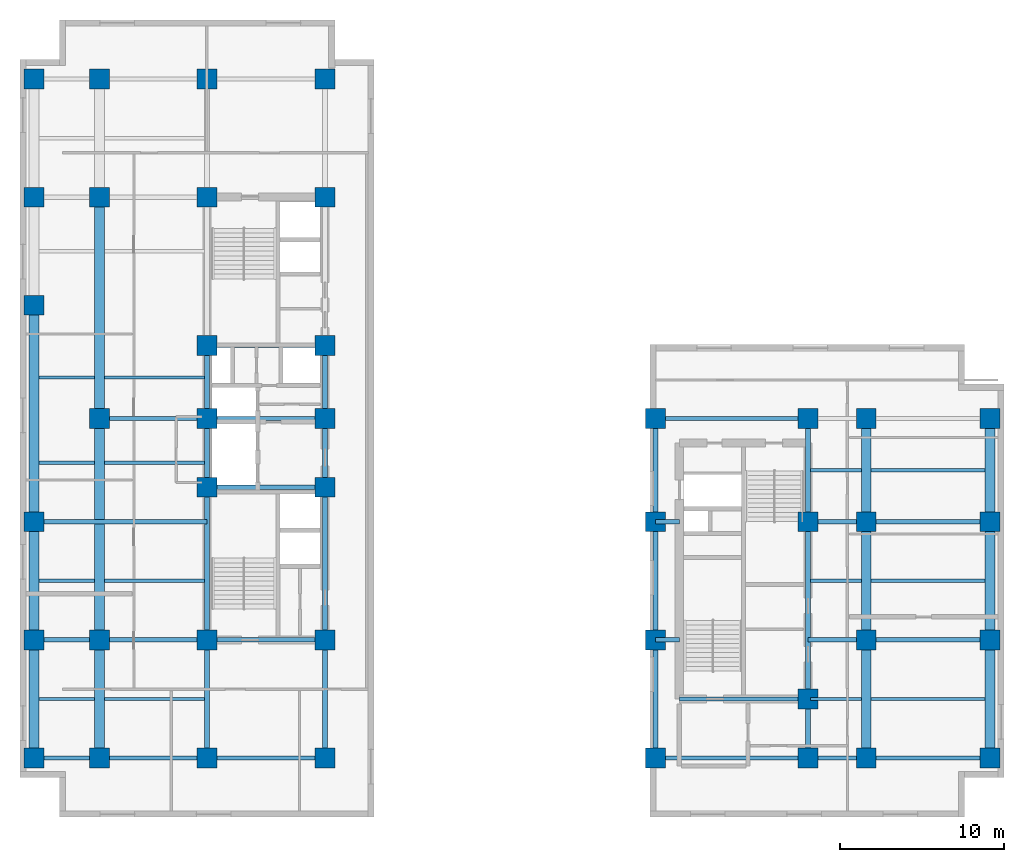
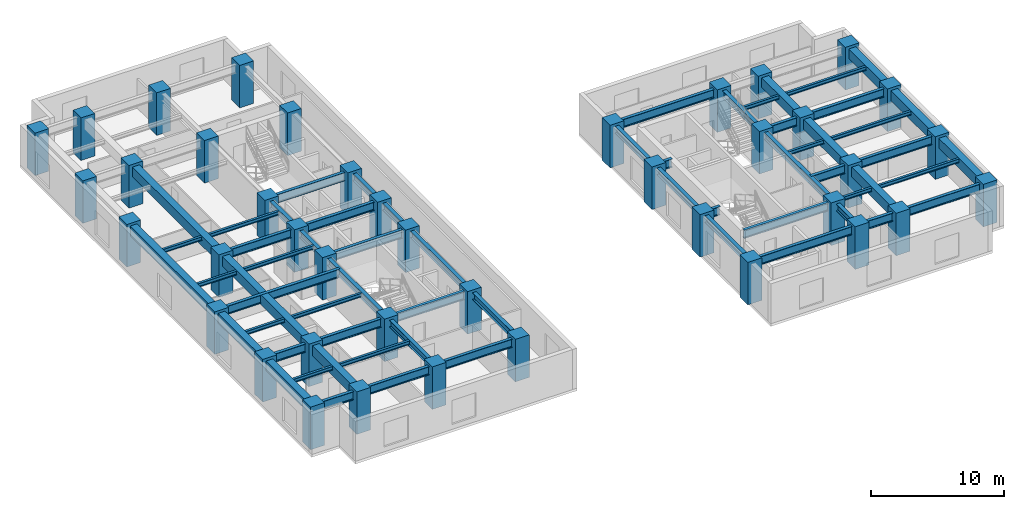
# One storey, part 1 of 9: 62 beams, 41 columns.
"""IFC4 building model written with IfcOpenShell, lengths in metres."""

from ifc_helpers import new_model, entity, si_unit, converted_unit, direction, frame, origin_with_axes, origin_2d_with_axis, place, context, subcontext, project, spatial, rectangle, i_section, extrude, material, material_profile, profile_set, type_object, element, save


model = new_model("IFC4")

# Units and contexts
model_context = context("Model", 3, precision=1e-05, world=origin_with_axes(), true_north=direction((0.0, 1.0)))
body_context = subcontext(model_context, "Body", "Model", "MODEL_VIEW")
ifc_project = project(units=[si_unit("LENGTHUNIT", "METRE"), si_unit("AREAUNIT", "SQUARE_METRE"), si_unit("VOLUMEUNIT", "CUBIC_METRE"), converted_unit("PLANEANGLEUNIT", "DEGREE", entity("IfcPlaneAngleMeasure", 0.017453292519943295), si_unit("PLANEANGLEUNIT", "RADIAN"), dimensions=[0, 0, 0, 0, 0, 0, 0]), si_unit("MASSUNIT", "GRAM", prefix="KILO"), si_unit("THERMODYNAMICTEMPERATUREUNIT", "KELVIN")], contexts=[model_context])

# Site, building, storey
site_placement = place(None, origin_with_axes())
site = spatial("IfcSite", under=ifc_project, at=site_placement, CompositionType="ELEMENT")
building_placement = place(site_placement, origin_with_axes())
building = spatial("IfcBuilding", under=site, at=building_placement, Name="Varnlund Millrace Tower", CompositionType="ELEMENT")
storey_placement = place(building_placement, frame((0.0, 0.0, 93.0), z_axis=(0.0, 0.0, 1.0), x_axis=(1.0, 0.0, 0.0)))
storey = spatial("IfcBuildingStorey", under=building, at=storey_placement, Name="L22", CompositionType="ELEMENT", Elevation=93.0)

# Columns
ifc_material_1 = material(Name="Concrete C80/95", Category="concrete")
ifc_material_profile_1 = material_profile(ifc_material_1, rectangle(XDim=1.2, YDim=1.2, at=origin_2d_with_axis()), Name="Concrete C80/95")
ifc_profile_set_1 = profile_set([ifc_material_profile_1], Name="Concrete C80/95")
column_type = type_object("IfcColumnType", Name="Type-Col-RC1200-C80", PredefinedType="COLUMN", material=ifc_profile_set_1)
for number, where, z_axis, x_axis, name in (
    (1, (11.4, 3.6, 0.0), (0.0, 0.0, 1.0), (1.0, 0.0, 0.0), "Type-Col-RC1200-C80"),
    (2, (11.4, 10.8, 0.0), (0.0, 0.0, 1.0), (1.0, 0.0, 0.0), "Type-Col-RC1200-C80"),
    (3, (11.4, 20.1, 0.0), (0.0, 0.0, 1.0), (1.0, 0.0, 0.0), "Type-Col-RC1200-C80"),
    (4, (11.4, 24.3, 0.0), (0.0, 0.0, 1.0), (1.0, 0.0, 0.0), "Type-Col-RC1200-C80"),
    (5, (11.4, 28.75, 0.0), (0.0, 0.0, 1.0), (1.0, 0.0, 0.0), "Type-Col-RC1200-C80"),
    (6, (11.4, 37.8, 0.0), (0.0, 0.0, 1.0), (1.0, 0.0, 0.0), "Type-Col-RC1200-C80"),
    (7, (11.4, 45.0, 0.0), (0.0, 0.0, 1.0), (1.0, 0.0, 0.0), "Type-Col-RC1200-C80"),
    (8, (18.6, 3.6, 0.0), (0.0, 0.0, 1.0), (1.0, 0.0, 0.0), "Type-Col-RC1200-C80"),
    (9, (18.6, 10.8, 0.0), (0.0, 0.0, 1.0), (1.0, 0.0, 0.0), "Type-Col-RC1200-C80"),
    (10, (18.6, 20.1, 0.0), (0.0, 0.0, 1.0), (1.0, 0.0, 0.0), "Type-Col-RC1200-C80"),
    (11, (18.6, 24.3, 0.0), (0.0, 0.0, 1.0), (1.0, 0.0, 0.0), "Type-Col-RC1200-C80"),
    (12, (18.6, 28.75, 0.0), (0.0, 0.0, 1.0), (1.0, 0.0, 0.0), "Type-Col-RC1200-C80"),
    (13, (18.6, 37.8, 0.0), (0.0, 0.0, 1.0), (1.0, 0.0, 0.0), "Type-Col-RC1200-C80"),
    (14, (18.6, 45.0, 0.0), (0.0, 0.0, 1.0), (1.0, 0.0, 0.0), "Type-Col-RC1200-C80"),
    (15, (4.85, 3.6, 0.0), (0.0, 0.0, 1.0), (1.0, 0.0, 0.0), "Type-Col-RC1200-C80"),
    (16, (4.85, 10.8, 0.0), (0.0, 0.0, 1.0), (1.0, 0.0, 0.0), "Type-Col-RC1200-C80"),
    (17, (4.85, 24.3, 0.0), (0.0, 0.0, 1.0), (1.0, 0.0, 0.0), "Type-Col-RC1200-C80"),
    (18, (4.85, 37.8, 0.0), (0.0, 0.0, 1.0), (1.0, 0.0, 0.0), "Type-Col-RC1200-C80"),
    (19, (4.85, 45.0, 0.0), (0.0, 0.0, 1.0), (1.0, 0.0, 0.0), "Type-Col-RC1200-C80"),
    (20, (0.85, 3.6, 0.0), (0.0, 0.0, 1.0), (1.0, 0.0, 0.0), "Type-Col-RC1200-C80"),
    (21, (0.85, 10.8, 0.0), (0.0, 0.0, 1.0), (1.0, 0.0, 0.0), "Type-Col-RC1200-C80"),
    (22, (0.85, 18.0, 0.0), (0.0, 0.0, 1.0), (1.0, 0.0, 0.0), "Type-Col-RC1200-C80"),
    (23, (0.85, 31.2, 0.0), (0.0, 0.0, 1.0), (1.0, 0.0, 0.0), "Type-Col-RC1200-C80"),
    (24, (0.85, 37.8, 0.0), (0.0, 0.0, 1.0), (1.0, 0.0, 0.0), "Type-Col-RC1200-C80"),
    (25, (0.85, 45.0, 0.0), (0.0, 0.0, 1.0), (1.0, 0.0, 0.0), "Type-Col-RC1200-C80"),
    (26, (38.75, 3.6, 0.0), (0.0, 0.0, 1.0), (1.0, 0.0, 0.0), "Type-Col-RC1200-C80"),
    (27, (38.75, 10.8, 0.0), (0.0, 0.0, 1.0), (1.0, 0.0, 0.0), "Type-Col-RC1200-C80"),
    (28, (38.75, 18.0, 0.0), (0.0, 0.0, 1.0), (1.0, 0.0, 0.0), "Type-Col-RC1200-C80"),
    (29, (38.75, 24.3, 0.0), (0.0, 0.0, 1.0), (1.0, 0.0, 0.0), "Type-Col-RC1200-C80"),
    (30, (48.05, 3.6, 0.0), (0.0, 0.0, 1.0), (1.0, 0.0, 0.0), "Type-Col-RC1200-C80"),
    (31, (48.05, 7.2, 0.0), (0.0, 0.0, 1.0), (1.0, 0.0, 0.0), "Type-Col-RC1200-C80"),
    (32, (48.05, 18.0, 0.0), (0.0, 0.0, 1.0), (1.0, 0.0, 0.0), "Type-Col-RC1200-C80"),
    (33, (48.05, 24.3, 0.0), (0.0, 0.0, 1.0), (1.0, 0.0, 0.0), "Type-Col-RC1200-C80"),
    (34, (51.6, 3.6, 0.0), (0.0, 0.0, 1.0), (1.0, 0.0, 0.0), "Type-Col-RC1200-C80"),
    (35, (51.6, 10.8, 0.0), (0.0, 0.0, 1.0), (1.0, 0.0, 0.0), "Type-Col-RC1200-C80"),
    (36, (51.6, 18.0, 0.0), (0.0, 0.0, 1.0), (1.0, 0.0, 0.0), "Type-Col-RC1200-C80"),
    (37, (51.6, 24.3, 0.0), (0.0, 0.0, 1.0), (1.0, 0.0, 0.0), "Type-Col-RC1200-C80"),
    (38, (59.15, 3.6, 0.0), (0.0, 0.0, 1.0), (1.0, 0.0, 0.0), "Type-Col-RC1200-C80"),
    (39, (59.15, 10.8, 0.0), (0.0, 0.0, 1.0), (1.0, 0.0, 0.0), "Type-Col-RC1200-C80"),
    (40, (59.15, 18.0, 0.0), (0.0, 0.0, 1.0), (1.0, 0.0, 0.0), "Type-Col-RC1200-C80"),
    (41, (59.15, 24.3, 0.0), (0.0, 0.0, 1.0), (1.0, 0.0, 0.0), "Type-Col-RC1200-C80"),
):
    element("IfcColumn", number, at=place(storey_placement, frame(where, z_axis=z_axis, x_axis=x_axis)), inside=storey, type_object=column_type, Name=name, PredefinedType="COLUMN", context=body_context, shape_type="SweptSolid", body=[
        extrude(rectangle(XDim=1.2, YDim=1.2, at=origin_2d_with_axis()), origin_with_axes(), (0.0, 0.0, 1.0), 3.9),
    ])

# Beams
ifc_material_2 = material(Name="Steel ASTM A992 Grade 50", Category="steel")
ifc_material_profile_2 = material_profile(ifc_material_2, i_section(OverallWidth=0.328, OverallDepth=0.628, WebThickness=0.0165, FlangeThickness=0.0277, FilletRadius=0.018, at=origin_2d_with_axis()), Name="Steel ASTM A992 Grade 50")
ifc_profile_set_2 = profile_set([ifc_material_profile_2], Name="Steel ASTM A992 Grade 50")
beam_type_1 = type_object("IfcBeamType", Name="Type-Girder-W24X146", PredefinedType="USERDEFINED", material=ifc_profile_set_2)
beam_1_placement = place(storey_placement, frame((11.4, 3.6, 3.346), z_axis=(0.0, 1.0, 0.0), x_axis=(-1.0, 0.0, 0.0)))
element("IfcBeam", 42, at=beam_1_placement, inside=storey, type_object=beam_type_1, Name="Type-Girder-W24X146", ObjectType="GIRDER", PredefinedType="USERDEFINED", context=body_context, shape_type="SweptSolid", body=[
    extrude(i_section(OverallWidth=0.328, OverallDepth=0.628, WebThickness=0.0165, FlangeThickness=0.0277, FilletRadius=0.018, at=origin_2d_with_axis()), origin_with_axes(), (0.0, 0.0, 1.0), 7.2),
])
beam_2_placement = place(storey_placement, frame((11.4, 10.8, 3.346), z_axis=(0.0, 1.0, 0.0), x_axis=(-1.0, 0.0, 0.0)))
element("IfcBeam", 43, at=beam_2_placement, inside=storey, type_object=beam_type_1, Name="Type-Girder-W24X146", ObjectType="GIRDER", PredefinedType="USERDEFINED", context=body_context, shape_type="SweptSolid", body=[
    extrude(i_section(OverallWidth=0.328, OverallDepth=0.628, WebThickness=0.0165, FlangeThickness=0.0277, FilletRadius=0.018, at=origin_2d_with_axis()), origin_with_axes(), (0.0, 0.0, 1.0), 9.3),
])
beam_3_placement = place(storey_placement, frame((11.4, 20.1, 3.346), z_axis=(0.0, 1.0, 0.0), x_axis=(-1.0, 0.0, 0.0)))
element("IfcBeam", 44, at=beam_3_placement, inside=storey, type_object=beam_type_1, Name="Type-Girder-W24X146", ObjectType="GIRDER", PredefinedType="USERDEFINED", context=body_context, shape_type="SweptSolid", body=[
    extrude(i_section(OverallWidth=0.328, OverallDepth=0.628, WebThickness=0.0165, FlangeThickness=0.0277, FilletRadius=0.018, at=origin_2d_with_axis()), origin_with_axes(), (0.0, 0.0, 1.0), 4.2),
])
beam_4_placement = place(storey_placement, frame((11.4, 24.3, 3.346), z_axis=(0.0, 1.0, 0.0), x_axis=(-1.0, 0.0, 0.0)))
element("IfcBeam", 45, at=beam_4_placement, inside=storey, type_object=beam_type_1, Name="Type-Girder-W24X146", ObjectType="GIRDER", PredefinedType="USERDEFINED", context=body_context, shape_type="SweptSolid", body=[
    extrude(i_section(OverallWidth=0.328, OverallDepth=0.628, WebThickness=0.0165, FlangeThickness=0.0277, FilletRadius=0.018, at=origin_2d_with_axis()), origin_with_axes(), (0.0, 0.0, 1.0), 4.45),
])
beam_5_placement = place(storey_placement, frame((18.6, 3.6, 3.346), z_axis=(0.0, 1.0, 0.0), x_axis=(-1.0, 0.0, 0.0)))
element("IfcBeam", 46, at=beam_5_placement, inside=storey, type_object=beam_type_1, Name="Type-Girder-W24X146", ObjectType="GIRDER", PredefinedType="USERDEFINED", context=body_context, shape_type="SweptSolid", body=[
    extrude(i_section(OverallWidth=0.328, OverallDepth=0.628, WebThickness=0.0165, FlangeThickness=0.0277, FilletRadius=0.018, at=origin_2d_with_axis()), origin_with_axes(), (0.0, 0.0, 1.0), 7.2),
])
beam_6_placement = place(storey_placement, frame((18.6, 10.8, 3.346), z_axis=(0.0, 1.0, 0.0), x_axis=(-1.0, 0.0, 0.0)))
element("IfcBeam", 47, at=beam_6_placement, inside=storey, type_object=beam_type_1, Name="Type-Girder-W24X146", ObjectType="GIRDER", PredefinedType="USERDEFINED", context=body_context, shape_type="SweptSolid", body=[
    extrude(i_section(OverallWidth=0.328, OverallDepth=0.628, WebThickness=0.0165, FlangeThickness=0.0277, FilletRadius=0.018, at=origin_2d_with_axis()), origin_with_axes(), (0.0, 0.0, 1.0), 9.3),
])
beam_7_placement = place(storey_placement, frame((18.6, 20.1, 3.346), z_axis=(0.0, 1.0, 0.0), x_axis=(-1.0, 0.0, 0.0)))
element("IfcBeam", 48, at=beam_7_placement, inside=storey, type_object=beam_type_1, Name="Type-Girder-W24X146", ObjectType="GIRDER", PredefinedType="USERDEFINED", context=body_context, shape_type="SweptSolid", body=[
    extrude(i_section(OverallWidth=0.328, OverallDepth=0.628, WebThickness=0.0165, FlangeThickness=0.0277, FilletRadius=0.018, at=origin_2d_with_axis()), origin_with_axes(), (0.0, 0.0, 1.0), 4.2),
])
beam_8_placement = place(storey_placement, frame((18.6, 24.3, 3.346), z_axis=(0.0, 1.0, 0.0), x_axis=(-1.0, 0.0, 0.0)))
element("IfcBeam", 49, at=beam_8_placement, inside=storey, type_object=beam_type_1, Name="Type-Girder-W24X146", ObjectType="GIRDER", PredefinedType="USERDEFINED", context=body_context, shape_type="SweptSolid", body=[
    extrude(i_section(OverallWidth=0.328, OverallDepth=0.628, WebThickness=0.0165, FlangeThickness=0.0277, FilletRadius=0.018, at=origin_2d_with_axis()), origin_with_axes(), (0.0, 0.0, 1.0), 4.45),
])
for number, where, z_axis, x_axis, name in (
    (50, (38.75, 3.6, 3.346), (0.0, 1.0, 0.0), (-1.0, 0.0, 0.0), "Type-Girder-W24X146"),
    (51, (38.75, 10.8, 3.346), (0.0, 1.0, 0.0), (-1.0, 0.0, 0.0), "Type-Girder-W24X146"),
):
    element("IfcBeam", number, at=place(storey_placement, frame(where, z_axis=z_axis, x_axis=x_axis)), inside=storey, type_object=beam_type_1, Name=name, ObjectType="GIRDER", PredefinedType="USERDEFINED", context=body_context, shape_type="SweptSolid", body=[
        extrude(i_section(OverallWidth=0.328, OverallDepth=0.628, WebThickness=0.0165, FlangeThickness=0.0277, FilletRadius=0.018, at=origin_2d_with_axis()), origin_with_axes(), (0.0, 0.0, 1.0), 7.2),
    ])
beam_9_placement = place(storey_placement, frame((38.75, 18.0, 3.346), z_axis=(0.0, 1.0, 0.0), x_axis=(-1.0, 0.0, 0.0)))
element("IfcBeam", 52, at=beam_9_placement, inside=storey, type_object=beam_type_1, Name="Type-Girder-W24X146", ObjectType="GIRDER", PredefinedType="USERDEFINED", context=body_context, shape_type="SweptSolid", body=[
    extrude(i_section(OverallWidth=0.328, OverallDepth=0.628, WebThickness=0.0165, FlangeThickness=0.0277, FilletRadius=0.018, at=origin_2d_with_axis()), origin_with_axes(), (0.0, 0.0, 1.0), 6.3),
])
beam_10_placement = place(storey_placement, frame((48.05, 3.6, 3.346), z_axis=(0.0, 1.0, 0.0), x_axis=(-1.0, 0.0, 0.0)))
element("IfcBeam", 53, at=beam_10_placement, inside=storey, type_object=beam_type_1, Name="Type-Girder-W24X146", ObjectType="GIRDER", PredefinedType="USERDEFINED", context=body_context, shape_type="SweptSolid", body=[
    extrude(i_section(OverallWidth=0.328, OverallDepth=0.628, WebThickness=0.0165, FlangeThickness=0.0277, FilletRadius=0.018, at=origin_2d_with_axis()), origin_with_axes(), (0.0, 0.0, 1.0), 3.6),
])
beam_11_placement = place(storey_placement, frame((48.05, 7.2, 3.346), z_axis=(0.0, 1.0, 0.0), x_axis=(-1.0, 0.0, 0.0)))
element("IfcBeam", 54, at=beam_11_placement, inside=storey, type_object=beam_type_1, Name="Type-Girder-W24X146", ObjectType="GIRDER", PredefinedType="USERDEFINED", context=body_context, shape_type="SweptSolid", body=[
    extrude(i_section(OverallWidth=0.328, OverallDepth=0.628, WebThickness=0.0165, FlangeThickness=0.0277, FilletRadius=0.018, at=origin_2d_with_axis()), origin_with_axes(), (0.0, 0.0, 1.0), 10.8),
])
beam_12_placement = place(storey_placement, frame((48.05, 18.0, 3.346), z_axis=(0.0, 1.0, 0.0), x_axis=(-1.0, 0.0, 0.0)))
element("IfcBeam", 55, at=beam_12_placement, inside=storey, type_object=beam_type_1, Name="Type-Girder-W24X146", ObjectType="GIRDER", PredefinedType="USERDEFINED", context=body_context, shape_type="SweptSolid", body=[
    extrude(i_section(OverallWidth=0.328, OverallDepth=0.628, WebThickness=0.0165, FlangeThickness=0.0277, FilletRadius=0.018, at=origin_2d_with_axis()), origin_with_axes(), (0.0, 0.0, 1.0), 6.3),
])
ifc_material_profile_3 = material_profile(ifc_material_2, i_section(OverallWidth=0.266, OverallDepth=0.779, WebThickness=0.0165, FlangeThickness=0.03, FilletRadius=0.02, at=origin_2d_with_axis()), Name="Steel ASTM A992 Grade 50")
ifc_profile_set_3 = profile_set([ifc_material_profile_3], Name="Steel ASTM A992 Grade 50")
beam_type_2 = type_object("IfcBeamType", Name="Type-Girder-W30X148", PredefinedType="USERDEFINED", material=ifc_profile_set_3)
beam_13_placement = place(storey_placement, frame((0.85, 3.6, 3.2705), z_axis=(1.0, 0.0, 0.0), x_axis=(0.0, 1.0, 0.0)))
element("IfcBeam", 56, at=beam_13_placement, inside=storey, type_object=beam_type_2, Name="Type-Girder-W30X148", ObjectType="GIRDER", PredefinedType="USERDEFINED", context=body_context, shape_type="SweptSolid", body=[
    extrude(i_section(OverallWidth=0.266, OverallDepth=0.779, WebThickness=0.0165, FlangeThickness=0.03, FilletRadius=0.02, at=origin_2d_with_axis()), origin_with_axes(), (0.0, 0.0, 1.0), 4.0),
])
beam_14_placement = place(storey_placement, frame((4.85, 3.6, 3.2705), z_axis=(1.0, 0.0, 0.0), x_axis=(0.0, 1.0, 0.0)))
element("IfcBeam", 57, at=beam_14_placement, inside=storey, type_object=beam_type_2, Name="Type-Girder-W30X148", ObjectType="GIRDER", PredefinedType="USERDEFINED", context=body_context, shape_type="SweptSolid", body=[
    extrude(i_section(OverallWidth=0.266, OverallDepth=0.779, WebThickness=0.0165, FlangeThickness=0.03, FilletRadius=0.02, at=origin_2d_with_axis()), origin_with_axes(), (0.0, 0.0, 1.0), 6.55),
])
beam_15_placement = place(storey_placement, frame((11.4, 3.6, 3.2705), z_axis=(1.0, 0.0, 0.0), x_axis=(0.0, 1.0, 0.0)))
element("IfcBeam", 58, at=beam_15_placement, inside=storey, type_object=beam_type_2, Name="Type-Girder-W30X148", ObjectType="GIRDER", PredefinedType="USERDEFINED", context=body_context, shape_type="SweptSolid", body=[
    extrude(i_section(OverallWidth=0.266, OverallDepth=0.779, WebThickness=0.0165, FlangeThickness=0.03, FilletRadius=0.02, at=origin_2d_with_axis()), origin_with_axes(), (0.0, 0.0, 1.0), 7.2),
])
beam_16_placement = place(storey_placement, frame((38.75, 3.6, 3.2705), z_axis=(1.0, 0.0, 0.0), x_axis=(0.0, 1.0, 0.0)))
element("IfcBeam", 59, at=beam_16_placement, inside=storey, type_object=beam_type_2, Name="Type-Girder-W30X148", ObjectType="GIRDER", PredefinedType="USERDEFINED", context=body_context, shape_type="SweptSolid", body=[
    extrude(i_section(OverallWidth=0.266, OverallDepth=0.779, WebThickness=0.0165, FlangeThickness=0.03, FilletRadius=0.02, at=origin_2d_with_axis()), origin_with_axes(), (0.0, 0.0, 1.0), 9.3),
])
beam_17_placement = place(storey_placement, frame((48.05, 3.6, 3.2705), z_axis=(1.0, 0.0, 0.0), x_axis=(0.0, 1.0, 0.0)))
element("IfcBeam", 60, at=beam_17_placement, inside=storey, type_object=beam_type_2, Name="Type-Girder-W30X148", ObjectType="GIRDER", PredefinedType="USERDEFINED", context=body_context, shape_type="SweptSolid", body=[
    extrude(i_section(OverallWidth=0.266, OverallDepth=0.779, WebThickness=0.0165, FlangeThickness=0.03, FilletRadius=0.02, at=origin_2d_with_axis()), origin_with_axes(), (0.0, 0.0, 1.0), 3.55),
])
beam_18_placement = place(storey_placement, frame((51.6, 3.6, 3.2705), z_axis=(1.0, 0.0, 0.0), x_axis=(0.0, 1.0, 0.0)))
element("IfcBeam", 61, at=beam_18_placement, inside=storey, type_object=beam_type_2, Name="Type-Girder-W30X148", ObjectType="GIRDER", PredefinedType="USERDEFINED", context=body_context, shape_type="SweptSolid", body=[
    extrude(i_section(OverallWidth=0.266, OverallDepth=0.779, WebThickness=0.0165, FlangeThickness=0.03, FilletRadius=0.02, at=origin_2d_with_axis()), origin_with_axes(), (0.0, 0.0, 1.0), 7.55),
])
beam_19_placement = place(storey_placement, frame((40.2, 7.2, 3.2705), z_axis=(1.0, 0.0, 0.0), x_axis=(0.0, 1.0, 0.0)))
element("IfcBeam", 62, at=beam_19_placement, inside=storey, type_object=beam_type_2, Name="Type-Girder-W30X148", ObjectType="GIRDER", PredefinedType="USERDEFINED", context=body_context, shape_type="SweptSolid", body=[
    extrude(i_section(OverallWidth=0.266, OverallDepth=0.779, WebThickness=0.0165, FlangeThickness=0.03, FilletRadius=0.02, at=origin_2d_with_axis()), origin_with_axes(), (0.0, 0.0, 1.0), 7.85),
])
beam_20_placement = place(storey_placement, frame((0.85, 10.8, 3.2705), z_axis=(1.0, 0.0, 0.0), x_axis=(0.0, 1.0, 0.0)))
element("IfcBeam", 63, at=beam_20_placement, inside=storey, type_object=beam_type_2, Name="Type-Girder-W30X148", ObjectType="GIRDER", PredefinedType="USERDEFINED", context=body_context, shape_type="SweptSolid", body=[
    extrude(i_section(OverallWidth=0.266, OverallDepth=0.779, WebThickness=0.0165, FlangeThickness=0.03, FilletRadius=0.02, at=origin_2d_with_axis()), origin_with_axes(), (0.0, 0.0, 1.0), 4.0),
])
beam_21_placement = place(storey_placement, frame((4.85, 10.8, 3.2705), z_axis=(1.0, 0.0, 0.0), x_axis=(0.0, 1.0, 0.0)))
element("IfcBeam", 64, at=beam_21_placement, inside=storey, type_object=beam_type_2, Name="Type-Girder-W30X148", ObjectType="GIRDER", PredefinedType="USERDEFINED", context=body_context, shape_type="SweptSolid", body=[
    extrude(i_section(OverallWidth=0.266, OverallDepth=0.779, WebThickness=0.0165, FlangeThickness=0.03, FilletRadius=0.02, at=origin_2d_with_axis()), origin_with_axes(), (0.0, 0.0, 1.0), 6.55),
])
beam_22_placement = place(storey_placement, frame((11.4, 10.8, 3.2705), z_axis=(1.0, 0.0, 0.0), x_axis=(0.0, 1.0, 0.0)))
element("IfcBeam", 65, at=beam_22_placement, inside=storey, type_object=beam_type_2, Name="Type-Girder-W30X148", ObjectType="GIRDER", PredefinedType="USERDEFINED", context=body_context, shape_type="SweptSolid", body=[
    extrude(i_section(OverallWidth=0.266, OverallDepth=0.779, WebThickness=0.0165, FlangeThickness=0.03, FilletRadius=0.02, at=origin_2d_with_axis()), origin_with_axes(), (0.0, 0.0, 1.0), 7.2),
])
beam_23_placement = place(storey_placement, frame((38.75, 10.8, 3.2705), z_axis=(1.0, 0.0, 0.0), x_axis=(0.0, 1.0, 0.0)))
element("IfcBeam", 66, at=beam_23_placement, inside=storey, type_object=beam_type_2, Name="Type-Girder-W30X148", ObjectType="GIRDER", PredefinedType="USERDEFINED", context=body_context, shape_type="SweptSolid", body=[
    extrude(i_section(OverallWidth=0.266, OverallDepth=0.779, WebThickness=0.0165, FlangeThickness=0.03, FilletRadius=0.02, at=origin_2d_with_axis()), origin_with_axes(), (0.0, 0.0, 1.0), 1.45),
])
beam_24_placement = place(storey_placement, frame((48.05, 10.8, 3.2705), z_axis=(1.0, 0.0, 0.0), x_axis=(0.0, 1.0, 0.0)))
element("IfcBeam", 67, at=beam_24_placement, inside=storey, type_object=beam_type_2, Name="Type-Girder-W30X148", ObjectType="GIRDER", PredefinedType="USERDEFINED", context=body_context, shape_type="SweptSolid", body=[
    extrude(i_section(OverallWidth=0.266, OverallDepth=0.779, WebThickness=0.0165, FlangeThickness=0.03, FilletRadius=0.02, at=origin_2d_with_axis()), origin_with_axes(), (0.0, 0.0, 1.0), 3.55),
])
beam_25_placement = place(storey_placement, frame((51.6, 10.8, 3.2705), z_axis=(1.0, 0.0, 0.0), x_axis=(0.0, 1.0, 0.0)))
element("IfcBeam", 68, at=beam_25_placement, inside=storey, type_object=beam_type_2, Name="Type-Girder-W30X148", ObjectType="GIRDER", PredefinedType="USERDEFINED", context=body_context, shape_type="SweptSolid", body=[
    extrude(i_section(OverallWidth=0.266, OverallDepth=0.779, WebThickness=0.0165, FlangeThickness=0.03, FilletRadius=0.02, at=origin_2d_with_axis()), origin_with_axes(), (0.0, 0.0, 1.0), 7.55),
])
beam_26_placement = place(storey_placement, frame((0.85, 18.0, 3.2705), z_axis=(1.0, 0.0, 0.0), x_axis=(0.0, 1.0, 0.0)))
element("IfcBeam", 69, at=beam_26_placement, inside=storey, type_object=beam_type_2, Name="Type-Girder-W30X148", ObjectType="GIRDER", PredefinedType="USERDEFINED", context=body_context, shape_type="SweptSolid", body=[
    extrude(i_section(OverallWidth=0.266, OverallDepth=0.779, WebThickness=0.0165, FlangeThickness=0.03, FilletRadius=0.02, at=origin_2d_with_axis()), origin_with_axes(), (0.0, 0.0, 1.0), 10.55),
])
beam_27_placement = place(storey_placement, frame((38.75, 18.0, 3.2705), z_axis=(1.0, 0.0, 0.0), x_axis=(0.0, 1.0, 0.0)))
element("IfcBeam", 70, at=beam_27_placement, inside=storey, type_object=beam_type_2, Name="Type-Girder-W30X148", ObjectType="GIRDER", PredefinedType="USERDEFINED", context=body_context, shape_type="SweptSolid", body=[
    extrude(i_section(OverallWidth=0.266, OverallDepth=0.779, WebThickness=0.0165, FlangeThickness=0.03, FilletRadius=0.02, at=origin_2d_with_axis()), origin_with_axes(), (0.0, 0.0, 1.0), 1.45),
])
beam_28_placement = place(storey_placement, frame((48.05, 18.0, 3.2705), z_axis=(1.0, 0.0, 0.0), x_axis=(0.0, 1.0, 0.0)))
element("IfcBeam", 71, at=beam_28_placement, inside=storey, type_object=beam_type_2, Name="Type-Girder-W30X148", ObjectType="GIRDER", PredefinedType="USERDEFINED", context=body_context, shape_type="SweptSolid", body=[
    extrude(i_section(OverallWidth=0.266, OverallDepth=0.779, WebThickness=0.0165, FlangeThickness=0.03, FilletRadius=0.02, at=origin_2d_with_axis()), origin_with_axes(), (0.0, 0.0, 1.0), 3.55),
])
beam_29_placement = place(storey_placement, frame((51.6, 18.0, 3.2705), z_axis=(1.0, 0.0, 0.0), x_axis=(0.0, 1.0, 0.0)))
element("IfcBeam", 72, at=beam_29_placement, inside=storey, type_object=beam_type_2, Name="Type-Girder-W30X148", ObjectType="GIRDER", PredefinedType="USERDEFINED", context=body_context, shape_type="SweptSolid", body=[
    extrude(i_section(OverallWidth=0.266, OverallDepth=0.779, WebThickness=0.0165, FlangeThickness=0.03, FilletRadius=0.02, at=origin_2d_with_axis()), origin_with_axes(), (0.0, 0.0, 1.0), 7.55),
])
beam_30_placement = place(storey_placement, frame((11.4, 20.1, 3.2705), z_axis=(1.0, 0.0, 0.0), x_axis=(0.0, 1.0, 0.0)))
element("IfcBeam", 73, at=beam_30_placement, inside=storey, type_object=beam_type_2, Name="Type-Girder-W30X148", ObjectType="GIRDER", PredefinedType="USERDEFINED", context=body_context, shape_type="SweptSolid", body=[
    extrude(i_section(OverallWidth=0.266, OverallDepth=0.779, WebThickness=0.0165, FlangeThickness=0.03, FilletRadius=0.02, at=origin_2d_with_axis()), origin_with_axes(), (0.0, 0.0, 1.0), 7.2),
])
beam_31_placement = place(storey_placement, frame((4.85, 24.3, 3.2705), z_axis=(1.0, 0.0, 0.0), x_axis=(0.0, 1.0, 0.0)))
element("IfcBeam", 74, at=beam_31_placement, inside=storey, type_object=beam_type_2, Name="Type-Girder-W30X148", ObjectType="GIRDER", PredefinedType="USERDEFINED", context=body_context, shape_type="SweptSolid", body=[
    extrude(i_section(OverallWidth=0.266, OverallDepth=0.779, WebThickness=0.0165, FlangeThickness=0.03, FilletRadius=0.02, at=origin_2d_with_axis()), origin_with_axes(), (0.0, 0.0, 1.0), 6.55),
])
beam_32_placement = place(storey_placement, frame((11.4, 24.3, 3.2705), z_axis=(1.0, 0.0, 0.0), x_axis=(0.0, 1.0, 0.0)))
element("IfcBeam", 75, at=beam_32_placement, inside=storey, type_object=beam_type_2, Name="Type-Girder-W30X148", ObjectType="GIRDER", PredefinedType="USERDEFINED", context=body_context, shape_type="SweptSolid", body=[
    extrude(i_section(OverallWidth=0.266, OverallDepth=0.779, WebThickness=0.0165, FlangeThickness=0.03, FilletRadius=0.02, at=origin_2d_with_axis()), origin_with_axes(), (0.0, 0.0, 1.0), 7.2),
])
beam_33_placement = place(storey_placement, frame((38.75, 24.3, 3.2705), z_axis=(1.0, 0.0, 0.0), x_axis=(0.0, 1.0, 0.0)))
element("IfcBeam", 76, at=beam_33_placement, inside=storey, type_object=beam_type_2, Name="Type-Girder-W30X148", ObjectType="GIRDER", PredefinedType="USERDEFINED", context=body_context, shape_type="SweptSolid", body=[
    extrude(i_section(OverallWidth=0.266, OverallDepth=0.779, WebThickness=0.0165, FlangeThickness=0.03, FilletRadius=0.02, at=origin_2d_with_axis()), origin_with_axes(), (0.0, 0.0, 1.0), 9.3),
])
beam_34_placement = place(storey_placement, frame((11.4, 28.75, 3.2705), z_axis=(1.0, 0.0, 0.0), x_axis=(0.0, 1.0, 0.0)))
element("IfcBeam", 77, at=beam_34_placement, inside=storey, type_object=beam_type_2, Name="Type-Girder-W30X148", ObjectType="GIRDER", PredefinedType="USERDEFINED", context=body_context, shape_type="SweptSolid", body=[
    extrude(i_section(OverallWidth=0.266, OverallDepth=0.779, WebThickness=0.0165, FlangeThickness=0.03, FilletRadius=0.02, at=origin_2d_with_axis()), origin_with_axes(), (0.0, 0.0, 1.0), 7.2),
])
ifc_material_profile_4 = material_profile(ifc_material_2, i_section(OverallWidth=0.204, OverallDepth=0.35, WebThickness=0.0086, FlangeThickness=0.0151, FilletRadius=0.013, at=origin_2d_with_axis()), Name="Steel ASTM A992 Grade 50")
ifc_profile_set_4 = profile_set([ifc_material_profile_4], Name="Steel ASTM A992 Grade 50")
beam_type_3 = type_object("IfcBeamType", Name="Type-Joist-W14X48", PredefinedType="JOIST", material=ifc_profile_set_4)
for number, where, z_axis, x_axis, name in (
    (78, (1.15, 7.2, 3.485), (1.0, 0.0, 0.0), (0.0, 1.0, 0.0), "Type-Joist-W14X48"),
    (79, (1.15, 14.4, 3.485), (1.0, 0.0, 0.0), (0.0, 1.0, 0.0), "Type-Joist-W14X48"),
    (80, (1.15, 21.6, 3.485), (1.0, 0.0, 0.0), (0.0, 1.0, 0.0), "Type-Joist-W14X48"),
    (81, (1.15, 26.8, 3.485), (1.0, 0.0, 0.0), (0.0, 1.0, 0.0), "Type-Joist-W14X48"),
):
    element("IfcBeam", number, at=place(storey_placement, frame(where, z_axis=z_axis, x_axis=x_axis)), inside=storey, type_object=beam_type_3, Name=name, PredefinedType="JOIST", context=body_context, shape_type="SweptSolid", body=[
        extrude(i_section(OverallWidth=0.204, OverallDepth=0.35, WebThickness=0.0086, FlangeThickness=0.0151, FilletRadius=0.013, at=origin_2d_with_axis()), origin_with_axes(), (0.0, 0.0, 1.0), 3.4),
    ])
for number, where, z_axis, x_axis, name in (
    (82, (5.15, 7.2, 3.485), (1.0, 0.0, 0.0), (0.0, 1.0, 0.0), "Type-Joist-W14X48"),
    (83, (5.15, 14.4, 3.485), (1.0, 0.0, 0.0), (0.0, 1.0, 0.0), "Type-Joist-W14X48"),
    (84, (5.15, 21.6, 3.485), (1.0, 0.0, 0.0), (0.0, 1.0, 0.0), "Type-Joist-W14X48"),
    (85, (5.15, 26.8, 3.485), (1.0, 0.0, 0.0), (0.0, 1.0, 0.0), "Type-Joist-W14X48"),
):
    element("IfcBeam", number, at=place(storey_placement, frame(where, z_axis=z_axis, x_axis=x_axis)), inside=storey, type_object=beam_type_3, Name=name, PredefinedType="JOIST", context=body_context, shape_type="SweptSolid", body=[
        extrude(i_section(OverallWidth=0.204, OverallDepth=0.35, WebThickness=0.0086, FlangeThickness=0.0151, FilletRadius=0.013, at=origin_2d_with_axis()), origin_with_axes(), (0.0, 0.0, 1.0), 6.086),
    ])
for number, where, z_axis, x_axis, name in (
    (86, (48.214, 7.2, 3.485), (1.0, 0.0, 0.0), (0.0, 1.0, 0.0), "Type-Joist-W14X48"),
    (87, (48.214, 14.4, 3.485), (1.0, 0.0, 0.0), (0.0, 1.0, 0.0), "Type-Joist-W14X48"),
    (88, (48.214, 21.15, 3.485), (1.0, 0.0, 0.0), (0.0, 1.0, 0.0), "Type-Joist-W14X48"),
):
    element("IfcBeam", number, at=place(storey_placement, frame(where, z_axis=z_axis, x_axis=x_axis)), inside=storey, type_object=beam_type_3, Name=name, PredefinedType="JOIST", context=body_context, shape_type="SweptSolid", body=[
        extrude(i_section(OverallWidth=0.204, OverallDepth=0.35, WebThickness=0.0086, FlangeThickness=0.0151, FilletRadius=0.013, at=origin_2d_with_axis()), origin_with_axes(), (0.0, 0.0, 1.0), 3.086),
    ])
for number, where, z_axis, x_axis, name in (
    (89, (51.9, 7.2, 3.485), (1.0, 0.0, 0.0), (0.0, 1.0, 0.0), "Type-Joist-W14X48"),
    (90, (51.9, 14.4, 3.485), (1.0, 0.0, 0.0), (0.0, 1.0, 0.0), "Type-Joist-W14X48"),
    (91, (51.9, 21.15, 3.485), (1.0, 0.0, 0.0), (0.0, 1.0, 0.0), "Type-Joist-W14X48"),
):
    element("IfcBeam", number, at=place(storey_placement, frame(where, z_axis=z_axis, x_axis=x_axis)), inside=storey, type_object=beam_type_3, Name=name, PredefinedType="JOIST", context=body_context, shape_type="SweptSolid", body=[
        extrude(i_section(OverallWidth=0.204, OverallDepth=0.35, WebThickness=0.0086, FlangeThickness=0.0151, FilletRadius=0.013, at=origin_2d_with_axis()), origin_with_axes(), (0.0, 0.0, 1.0), 6.95),
    ])
ifc_material_3 = material(Name="Concrete C70/85", Category="concrete")
ifc_material_profile_5 = material_profile(ifc_material_3, rectangle(XDim=0.6, YDim=0.9, at=origin_2d_with_axis()), Name="Concrete C70/85")
ifc_profile_set_5 = profile_set([ifc_material_profile_5], Name="Concrete C70/85")
beam_type_4 = type_object("IfcBeamType", Name="Type-Spandrel-RC600X900", PredefinedType="SPANDREL", material=ifc_profile_set_5)
for number, where, z_axis, x_axis, name in (
    (92, (0.85, 3.6, 3.21), (0.0, 1.0, 0.0), (-1.0, 0.0, 0.0), "Type-Spandrel-RC600X900"),
    (93, (0.85, 10.8, 3.21), (0.0, 1.0, 0.0), (-1.0, 0.0, 0.0), "Type-Spandrel-RC600X900"),
):
    element("IfcBeam", number, at=place(storey_placement, frame(where, z_axis=z_axis, x_axis=x_axis)), inside=storey, type_object=beam_type_4, Name=name, PredefinedType="SPANDREL", context=body_context, shape_type="SweptSolid", body=[
        extrude(rectangle(XDim=0.6, YDim=0.9, at=origin_2d_with_axis()), origin_with_axes(), (0.0, 0.0, 1.0), 7.2),
    ])
beam_35_placement = place(storey_placement, frame((0.85, 18.0, 3.21), z_axis=(0.0, 1.0, 0.0), x_axis=(-1.0, 0.0, 0.0)))
element("IfcBeam", 94, at=beam_35_placement, inside=storey, type_object=beam_type_4, Name="Type-Spandrel-RC600X900", PredefinedType="SPANDREL", context=body_context, shape_type="SweptSolid", body=[
    extrude(rectangle(XDim=0.6, YDim=0.9, at=origin_2d_with_axis()), origin_with_axes(), (0.0, 0.0, 1.0), 13.2),
])
beam_36_placement = place(storey_placement, frame((4.85, 3.6, 3.21), z_axis=(0.0, 1.0, 0.0), x_axis=(-1.0, 0.0, 0.0)))
element("IfcBeam", 95, at=beam_36_placement, inside=storey, type_object=beam_type_4, Name="Type-Spandrel-RC600X900", PredefinedType="SPANDREL", context=body_context, shape_type="SweptSolid", body=[
    extrude(rectangle(XDim=0.6, YDim=0.9, at=origin_2d_with_axis()), origin_with_axes(), (0.0, 0.0, 1.0), 7.2),
])
for number, where, z_axis, x_axis, name in (
    (96, (4.85, 10.8, 3.21), (0.0, 1.0, 0.0), (-1.0, 0.0, 0.0), "Type-Spandrel-RC600X900"),
    (97, (4.85, 24.3, 3.21), (0.0, 1.0, 0.0), (-1.0, 0.0, 0.0), "Type-Spandrel-RC600X900"),
):
    element("IfcBeam", number, at=place(storey_placement, frame(where, z_axis=z_axis, x_axis=x_axis)), inside=storey, type_object=beam_type_4, Name=name, PredefinedType="SPANDREL", context=body_context, shape_type="SweptSolid", body=[
        extrude(rectangle(XDim=0.6, YDim=0.9, at=origin_2d_with_axis()), origin_with_axes(), (0.0, 0.0, 1.0), 13.5),
    ])
for number, where, z_axis, x_axis, name in (
    (98, (51.6, 3.6, 3.21), (0.0, 1.0, 0.0), (-1.0, 0.0, 0.0), "Type-Spandrel-RC600X900"),
    (99, (51.6, 10.8, 3.21), (0.0, 1.0, 0.0), (-1.0, 0.0, 0.0), "Type-Spandrel-RC600X900"),
):
    element("IfcBeam", number, at=place(storey_placement, frame(where, z_axis=z_axis, x_axis=x_axis)), inside=storey, type_object=beam_type_4, Name=name, PredefinedType="SPANDREL", context=body_context, shape_type="SweptSolid", body=[
        extrude(rectangle(XDim=0.6, YDim=0.9, at=origin_2d_with_axis()), origin_with_axes(), (0.0, 0.0, 1.0), 7.2),
    ])
beam_37_placement = place(storey_placement, frame((51.6, 18.0, 3.21), z_axis=(0.0, 1.0, 0.0), x_axis=(-1.0, 0.0, 0.0)))
element("IfcBeam", 100, at=beam_37_placement, inside=storey, type_object=beam_type_4, Name="Type-Spandrel-RC600X900", PredefinedType="SPANDREL", context=body_context, shape_type="SweptSolid", body=[
    extrude(rectangle(XDim=0.6, YDim=0.9, at=origin_2d_with_axis()), origin_with_axes(), (0.0, 0.0, 1.0), 6.3),
])
for number, where, z_axis, x_axis, name in (
    (101, (59.15, 3.6, 3.21), (0.0, 1.0, 0.0), (-1.0, 0.0, 0.0), "Type-Spandrel-RC600X900"),
    (102, (59.15, 10.8, 3.21), (0.0, 1.0, 0.0), (-1.0, 0.0, 0.0), "Type-Spandrel-RC600X900"),
):
    element("IfcBeam", number, at=place(storey_placement, frame(where, z_axis=z_axis, x_axis=x_axis)), inside=storey, type_object=beam_type_4, Name=name, PredefinedType="SPANDREL", context=body_context, shape_type="SweptSolid", body=[
        extrude(rectangle(XDim=0.6, YDim=0.9, at=origin_2d_with_axis()), origin_with_axes(), (0.0, 0.0, 1.0), 7.2),
    ])
beam_38_placement = place(storey_placement, frame((59.15, 18.0, 3.21), z_axis=(0.0, 1.0, 0.0), x_axis=(-1.0, 0.0, 0.0)))
element("IfcBeam", 103, at=beam_38_placement, inside=storey, type_object=beam_type_4, Name="Type-Spandrel-RC600X900", PredefinedType="SPANDREL", context=body_context, shape_type="SweptSolid", body=[
    extrude(rectangle(XDim=0.6, YDim=0.9, at=origin_2d_with_axis()), origin_with_axes(), (0.0, 0.0, 1.0), 6.3),
])

save(model, "model.ifc")
